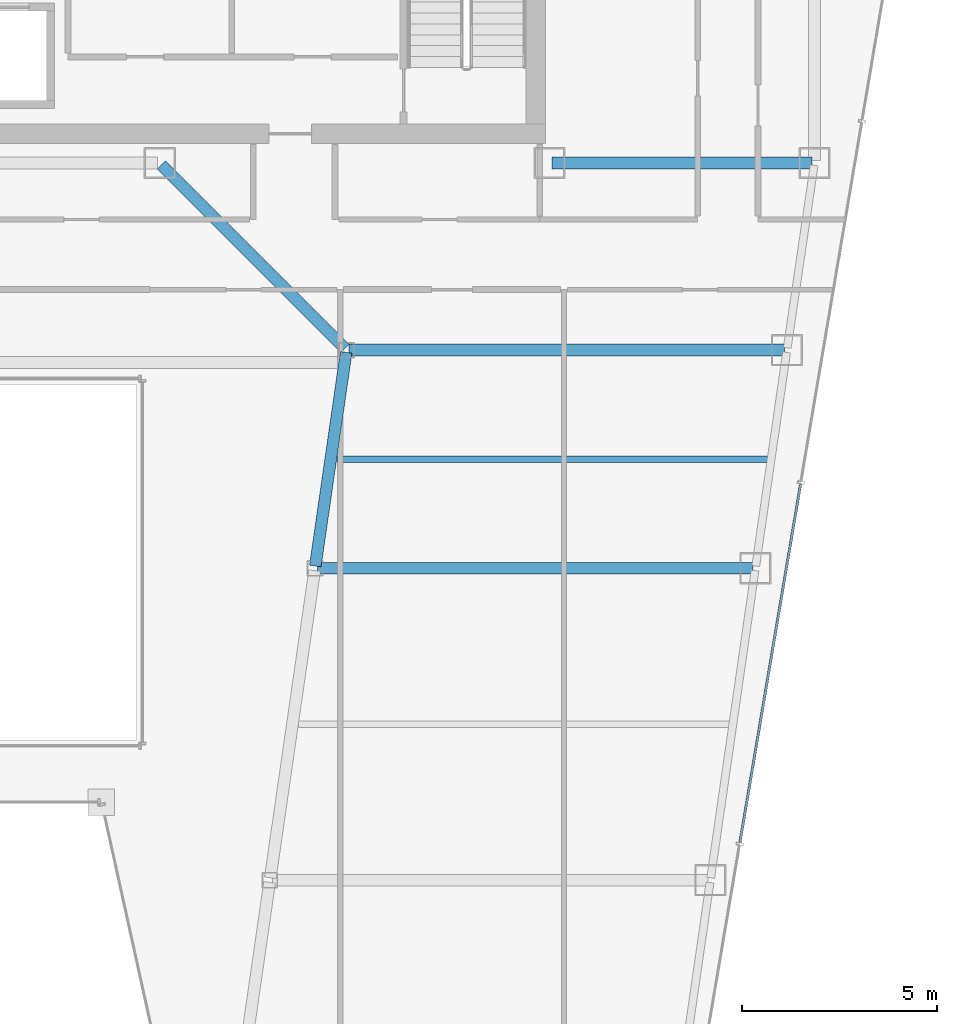
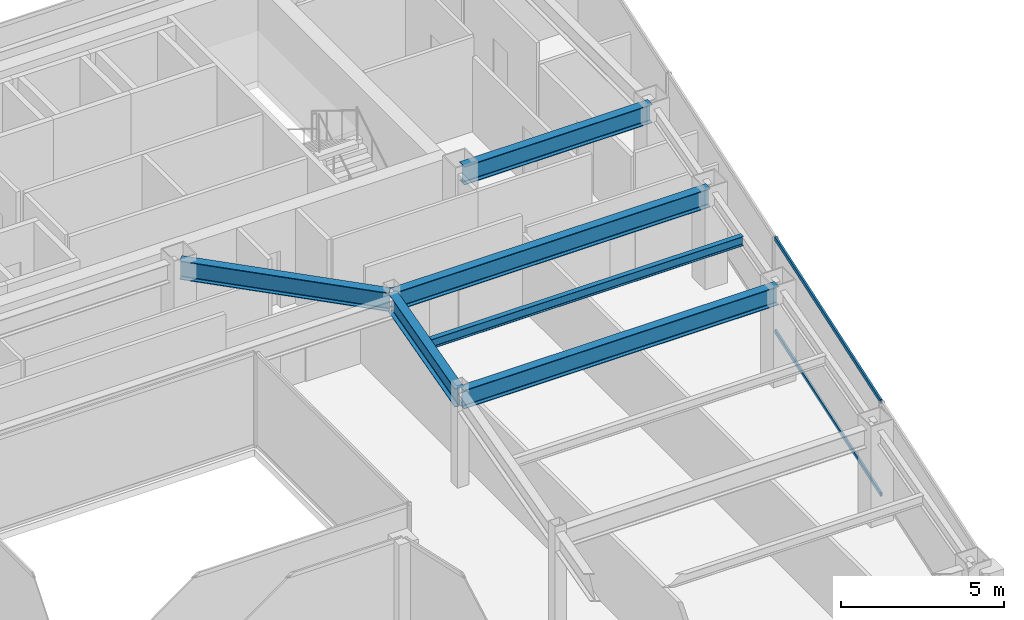
# One storey, part 21 of 36: 6 beams, 2 members, 1 element without a shape of its own.
"""IFC4 building model written with IfcOpenShell, lengths in metres."""

from ifc_helpers import new_model, si_unit, direction, frame, origin, origin_2d, place, context, subcontext, project, spatial, hollow_rectangle, i_section, extrude, material, material_profile, profile_set, type_object, element, aggregate, save


model = new_model("IFC4")

# Units and contexts
model_context = context("Model", 3, precision=1e-05, world=origin(), true_north=direction((0.0, 1.0)))
body_context = subcontext(model_context, "Body", "Model", "MODEL_VIEW")
ifc_project = project(units=[si_unit("LENGTHUNIT", "METRE"), si_unit("AREAUNIT", "SQUARE_METRE"), si_unit("VOLUMEUNIT", "CUBIC_METRE"), si_unit("PLANEANGLEUNIT", "RADIAN"), si_unit("MASSUNIT", "GRAM", prefix="KILO")], contexts=[model_context])

# Site, building, storey
site_placement = place(None, origin())
site = spatial("IfcSite", under=ifc_project, at=site_placement, CompositionType="ELEMENT")
building_placement = place(site_placement, origin())
building = spatial("IfcBuilding", under=site, at=building_placement, Name="Saevonmaru Cultural Tower", CompositionType="ELEMENT")
storey_placement = place(building_placement, frame((0.0, 0.0, 186.60009765625)))
storey = spatial("IfcBuildingStorey", under=building, at=storey_placement, Name="L42", CompositionType="ELEMENT", Elevation=186.60009765625)

# Beams
ifc_material_1 = material(Name="Steel SM355", Category="steel")
ifc_material_profile_1 = material_profile(ifc_material_1, i_section(OverallWidth=0.300048828125, OverallDepth=0.699951171875, WebThickness=0.012939453125, FlangeThickness=0.02392578125, FilletRadius=0.02587890625, at=origin_2d()), Name="H-700x300x13x24")
ifc_profile_set_1 = profile_set([ifc_material_profile_1], Name="Steel SM355")
beam_type_1 = type_object("IfcBeamType", Name="BM-G-H700", PredefinedType="BEAM", material=ifc_profile_set_1)
beam_1_placement = place(storey_placement, frame((46.4599609375, 42.39990234375, 3.199951171875), z_axis=(1.0, 0.0, 0.0), x_axis=(0.0, 1.0, 0.0)))
element("IfcBeam", 1, at=beam_1_placement, inside=storey, type_object=beam_type_1, Name="L42 Core South Girder 5", PredefinedType="BEAM", context=body_context, shape_type="SweptSolid", body=[
    extrude(i_section(OverallWidth=0.300048828125, OverallDepth=0.699951171875, WebThickness=0.012939453125, FlangeThickness=0.02392578125, FilletRadius=0.02587890625, at=origin_2d()), origin(), (0.0, 0.0, 1.0), 6.679931640625),
])
beam_2_placement = place(storey_placement, frame((40.3916015625, 32.059326171875, 3.199951171875), z_axis=(0.142964121327, 0.989727871697, 0.0), x_axis=(-0.989727871697, 0.142964121327, 0.0)))
element("IfcBeam", 2, at=beam_2_placement, inside=storey, type_object=beam_type_1, Name="L42 East Atrium Girder 3", PredefinedType="BEAM", context=body_context, shape_type="SweptSolid", body=[
    extrude(i_section(OverallWidth=0.300048828125, OverallDepth=0.699951171875, WebThickness=0.012939453125, FlangeThickness=0.02392578125, FilletRadius=0.02587890625, at=origin_2d()), origin(), (0.0, 0.0, 1.0), 5.5380859375),
])
beam_3_placement = place(storey_placement, frame((41.149658203125, 37.642578125, 3.199951171875), z_axis=(-0.706538566564, 0.707674539572, 0.0), x_axis=(-0.707674539572, -0.706538566564, 0.0)))
element("IfcBeam", 3, at=beam_3_placement, inside=storey, type_object=beam_type_1, Name="L42 East Atrium Girder 4", PredefinedType="BEAM", context=body_context, shape_type="SweptSolid", body=[
    extrude(i_section(OverallWidth=0.300048828125, OverallDepth=0.699951171875, WebThickness=0.012939453125, FlangeThickness=0.02392578125, FilletRadius=0.02587890625, at=origin_2d()), origin(), (0.0, 0.0, 1.0), 6.662353515625),
])
for number, where, z_axis, x_axis, name in (
    (4, (40.443115234375, 32.0, 3.199951171875), (1.0, 0.0, 0.0), (0.0, 1.0, 0.0), "L42 East Wing Transverse Girder 3"),
    (5, (41.251953125, 37.60009765625, 3.199951171875), (1.0, 0.0, 0.0), (0.0, 1.0, 0.0), "L42 East Wing Transverse Girder 4"),
):
    element("IfcBeam", number, at=place(storey_placement, frame(where, z_axis=z_axis, x_axis=x_axis)), inside=storey, type_object=beam_type_1, Name=name, PredefinedType="BEAM", context=body_context, shape_type="SweptSolid", body=[
        extrude(i_section(OverallWidth=0.300048828125, OverallDepth=0.699951171875, WebThickness=0.012939453125, FlangeThickness=0.02392578125, FilletRadius=0.02587890625, at=origin_2d()), origin(), (0.0, 0.0, 1.0), 11.179931640625),
    ])
ifc_material_profile_2 = material_profile(ifc_material_1, i_section(OverallWidth=0.175048828125, OverallDepth=0.35009765625, WebThickness=0.007080078125, FlangeThickness=0.010986328125, FilletRadius=0.012939453125, at=origin_2d()), Name="H-350x175x7x11")
ifc_profile_set_2 = profile_set([ifc_material_profile_2], Name="Steel SM355")
beam_type_2 = type_object("IfcBeamType", Name="BM-J-H350", PredefinedType="JOIST", material=ifc_profile_set_2)
beam_4_placement = place(storey_placement, frame((40.945556640625, 34.800048828125, 3.375), z_axis=(1.0, 0.0, 0.0), x_axis=(0.0, 1.0, 0.0)))
element("IfcBeam", 6, at=beam_4_placement, inside=storey, type_object=beam_type_2, Name="L42 East Wing Floor Joist 3", PredefinedType="JOIST", context=body_context, shape_type="SweptSolid", body=[
    extrude(i_section(OverallWidth=0.175048828125, OverallDepth=0.35009765625, WebThickness=0.007080078125, FlangeThickness=0.010986328125, FilletRadius=0.012939453125, at=origin_2d()), origin(), (0.0, 0.0, 1.0), 11.08203125),
])

# Curtain wall, members
ifc_material_2 = material(Name="Satin Bronze Anodised Aluminium", Category="aluminium")
curtain_wall_type = type_object("IfcCurtainWallType", Name="CW-TYP-B", PredefinedType="NOTDEFINED", material=ifc_material_2)
curtain_wall_placement = place(storey_placement, origin())
curtain_wall = element("IfcCurtainWall", 7, at=curtain_wall_placement, inside=storey, type_object=curtain_wall_type, Name="L42 Unitised Curtain Wall E8", PredefinedType="NOTDEFINED")
ifc_material_profile_3 = material_profile(ifc_material_2, hollow_rectangle(XDim=0.06494140625, YDim=0.14990234375, WallThickness=0.00390625, at=origin_2d()), Name="ALU-TRAN-150x65x4")
ifc_profile_set_3 = profile_set([ifc_material_profile_3], Name="Satin Bronze Anodised Aluminium")
member_type = type_object("IfcMemberType", Name="TR-CW-150x65", PredefinedType="USERDEFINED", material=ifc_profile_set_3)
member_1_placement = place(storey_placement, frame((51.287109375, 24.961669921875, 0.032470703125), z_axis=(0.166921263871, 0.985970228591, 0.0), x_axis=(-0.985970228591, 0.166921263871, 0.0)))
member_1 = element("IfcMember", 8, at=member_1_placement, type_object=member_type, Name="CW-TW-L42-E8 transom 2.1", ObjectType="TRANSOM", PredefinedType="USERDEFINED", context=body_context, shape_type="SweptSolid", body=[
    extrude(hollow_rectangle(XDim=0.06494140625, YDim=0.14990234375, WallThickness=0.00390625, at=origin_2d()), origin(), (0.0, 0.0, 1.0), 9.33740234375),
])
member_2_placement = place(storey_placement, frame((51.287109375, 24.961669921875, 3.517333984375), z_axis=(0.166921263871, 0.985970228591, 0.0), x_axis=(-0.985970228591, 0.166921263871, 0.0)))
member_2 = element("IfcMember", 9, at=member_2_placement, type_object=member_type, Name="CW-TW-L42-E8 transom 2.2", ObjectType="TRANSOM", PredefinedType="USERDEFINED", context=body_context, shape_type="SweptSolid", body=[
    extrude(hollow_rectangle(XDim=0.06494140625, YDim=0.14990234375, WallThickness=0.00390625, at=origin_2d()), origin(), (0.0, 0.0, 1.0), 9.33740234375),
])
aggregate(curtain_wall, [member_1, member_2])

save(model, "model.ifc")
